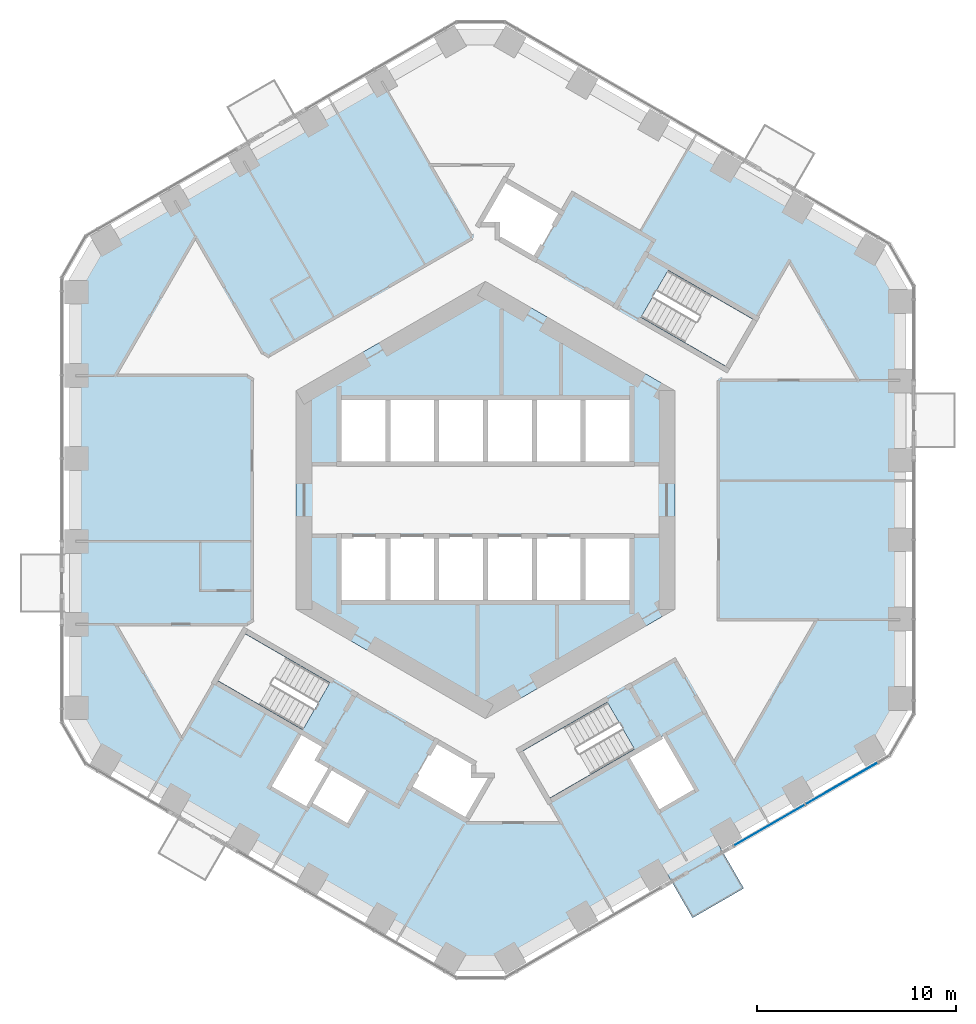
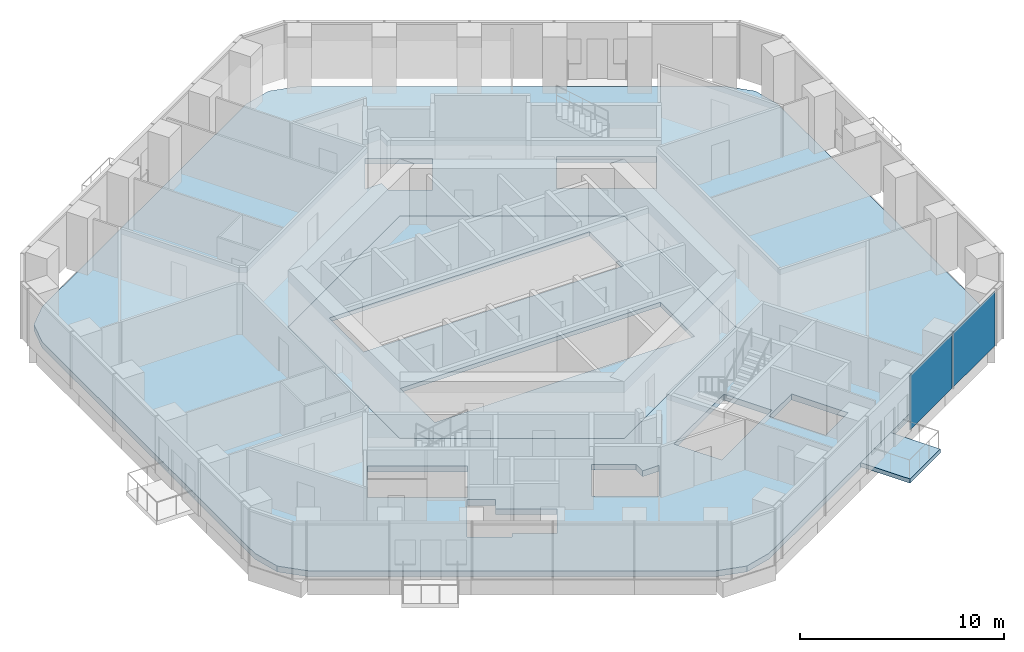
# One storey, part 9 of 19: 3 slabs, 2 plates, 1 element without a shape of its own.
"""IFC4 building model written with IfcOpenShell, lengths in metres."""

from ifc_helpers import new_model, si_unit, direction, frame, origin, origin_2d, place, context, subcontext, project, spatial, polyline, rectangle, outline, extrude, material, layer, layer_set, type_object, element, aggregate, save


model = new_model("IFC4")

# Units and contexts
model_context = context("Model", 3, precision=1e-05, world=origin(), true_north=direction((0.0, 1.0)))
body_context = subcontext(model_context, "Body", "Model", "MODEL_VIEW")
ifc_project = project(units=[si_unit("LENGTHUNIT", "METRE"), si_unit("AREAUNIT", "SQUARE_METRE"), si_unit("VOLUMEUNIT", "CUBIC_METRE"), si_unit("PLANEANGLEUNIT", "RADIAN"), si_unit("MASSUNIT", "GRAM", prefix="KILO")], contexts=[model_context])

# Site, building, storey
site_placement = place(None, origin())
site = spatial("IfcSite", under=ifc_project, at=site_placement, CompositionType="ELEMENT")
building_placement = place(site_placement, origin())
building = spatial("IfcBuilding", under=site, at=building_placement, Name="Ayvan Gate Tower", CompositionType="ELEMENT")
storey_placement = place(building_placement, frame((0.0, 0.0, 39.10009765625)))
storey = spatial("IfcBuildingStorey", under=building, at=storey_placement, Name="L09", CompositionType="ELEMENT", Elevation=39.10009765625)

# Slabs
ifc_material_1 = material(Name="Concrete C40/50", Category="concrete")
ifc_layer_1 = layer(ifc_material_1, 0.25)
ifc_layer_set_1 = layer_set([ifc_layer_1], Name="Concrete C40/50")
slab_type_1 = type_object("IfcSlabType", Name="Balcony slab 250", PredefinedType="FLOOR", material=ifc_layer_set_1)
slab_1_placement = place(storey_placement, frame((0.0, 0.0, -0.25)))
element("IfcSlab", 1, at=slab_1_placement, inside=storey, type_object=slab_type_1, Name="Balcony slab BAL-L09-5", PredefinedType="FLOOR", context=body_context, shape_type="SweptSolid", body=[
    extrude(outline(polyline([(8.990966796875, -18.534912109375), (11.55615234375, -17.053955078125), (12.956298828125, -19.478759765625), (10.39111328125, -20.959716796875), (8.990966796875, -18.534912109375)])), origin(), (0.0, 0.0, 1.0), 0.25),
])
ifc_layer_2 = layer(ifc_material_1, 0.35009765625)
ifc_layer_set_2 = layer_set([ifc_layer_2], Name="Concrete C40/50")
slab_type_2 = type_object("IfcSlabType", Name="Post-tensioned flat slab 350", PredefinedType="FLOOR", material=ifc_layer_set_2)
slab_2_placement = place(storey_placement, frame((0.0, 0.0, -0.35009765625)))
element("IfcSlab", 2, at=slab_2_placement, inside=storey, type_object=slab_type_2, Name="SL-L09", PredefinedType="FLOOR", context=body_context, shape_type="SweptSolid", body=[
    extrude(outline(polyline([(-1.7373046875, -22.996826171875), (-19.047119140625, -13.003173828125), (-20.145263671875, -11.905029296875), (-20.547119140625, -10.405029296875), (-20.547119140625, 10.405029296875), (-20.145263671875, 11.905029296875), (-19.047119140625, 13.003173828125), (-1.7373046875, 22.996826171875), (-0.2373046875, 23.39892578125), (1.2626953125, 22.996826171875), (19.28466796875, 12.591796875), (20.382568359375, 11.493896484375), (20.78466796875, 9.993896484375), (20.78466796875, -9.993896484375), (20.382568359375, -11.493896484375), (19.28466796875, -12.591796875), (1.2626953125, -22.996826171875), (-0.2373046875, -23.39892578125), (-1.7373046875, -22.996826171875)]), holes=[polyline([(9.1611328125, 11.517578125), (7.80615234375, 9.170654296875), (12.049560546875, 6.720458984375), (13.404541015625, 9.0673828125), (9.1611328125, 11.517578125)]), polyline([(10.595458984375, -14.5517578125), (8.995361328125, -11.780517578125), (8.735595703125, -11.9306640625), (7.090087890625, -12.880615234375), (8.690185546875, -15.65185546875), (10.595458984375, -14.5517578125)]), polyline([(-9.5, 5.48486328125), (-9.5, -5.48486328125), (0.0, -10.9697265625), (9.5, -5.48486328125), (9.5, 5.48486328125), (0.0, 10.9697265625), (-9.5, 5.48486328125)]), polyline([(7.472412109375, -12.492431640625), (6.117431640625, -10.1455078125), (1.873779296875, -12.595458984375), (3.228759765625, -14.9423828125), (7.472412109375, -12.492431640625)]), polyline([(3.822509765625, 14.420654296875), (0.964599609375, 16.07080078125), (-0.340576171875, 13.81005859375), (0.60009765625, 13.81005859375), (0.60009765625, 13.16357421875), (2.472412109375, 12.08251953125), (3.822509765625, 14.420654296875)]), polyline([(-0.60009765625, -13.81005859375), (-0.60009765625, -13.16357421875), (-2.472412109375, -12.08251953125), (-3.822509765625, -14.420654296875), (-0.964599609375, -16.07080078125), (0.340576171875, -13.81005859375), (-0.60009765625, -13.81005859375)]), polyline([(-10.855224609375, -14.40185546875), (-8.949951171875, -15.501953125), (-8.800048828125, -15.241943359375), (-6.894775390625, -16.342041015625), (-5.8447265625, -14.5234375), (-7.77587890625, -13.408447265625), (-8.44287109375, -13.0234375), (-8.042724609375, -12.33056640625), (-9.25537109375, -11.630615234375), (-10.855224609375, -14.40185546875)]), polyline([(-12.049560546875, -6.720458984375), (-13.404541015625, -9.0673828125), (-9.1611328125, -11.517578125), (-7.80615234375, -9.170654296875), (-12.049560546875, -6.720458984375)])]), origin(), (0.0, 0.0, 1.0), 0.35009765625),
])
ifc_layer_3 = layer(ifc_material_1, 0.25)
ifc_layer_set_3 = layer_set([ifc_layer_3], Name="Concrete C40/50")
slab_type_3 = type_object("IfcSlabType", Name="SL-CORE-250", PredefinedType="FLOOR", material=ifc_layer_set_3)
slab_3_placement = place(storey_placement, frame((0.0, 0.0, -0.25)))
element("IfcSlab", 3, at=slab_3_placement, inside=storey, type_object=slab_type_3, Name="CS-L09", PredefinedType="FLOOR", context=body_context, shape_type="SweptSolid", body=[
    extrude(outline(polyline([(9.5, -5.48486328125), (0.0, -10.9697265625), (-9.5, -5.48486328125), (-9.5, 5.48486328125), (0.0, 10.9697265625), (9.5, 5.48486328125), (9.5, -5.48486328125)]), holes=[polyline([(-7.35009765625, -1.800048828125), (-7.35009765625, -5.14990234375), (7.35009765625, -5.14990234375), (7.35009765625, -1.800048828125), (-7.35009765625, -1.800048828125)]), polyline([(-7.35009765625, 5.14990234375), (-7.35009765625, 1.800048828125), (7.35009765625, 1.800048828125), (7.35009765625, 5.14990234375), (-7.35009765625, 5.14990234375)])]), origin(), (0.0, 0.0, 1.0), 0.25),
])

# Curtain wall, plates
ifc_material_2 = material(Name="Bronze anodised aluminium", Category="aluminium")
ifc_layer_4 = layer(ifc_material_2, 0.199951171875)
ifc_layer_set_4 = layer_set([ifc_layer_4], Name="Bronze anodised aluminium")
curtain_wall_type = type_object("IfcCurtainWallType", Name="Stick curtain wall CW-1", PredefinedType="NOTDEFINED", material=ifc_layer_set_4)
curtain_wall_placement = place(storey_placement, origin())
curtain_wall = element("IfcCurtainWall", 4, at=curtain_wall_placement, inside=storey, type_object=curtain_wall_type, Name="Stick curtain wall CW-1 L09", PredefinedType="NOTDEFINED")
ifc_material_3 = material(Name="Clear low-iron laminated glass", Category="glass")
ifc_layer_5 = layer(ifc_material_3, 0.028076171875)
ifc_layer_set_5 = layer_set([ifc_layer_5], Name="Clear low-iron laminated glass")
plate_type = type_object("IfcPlateType", Name="Stick curtain wall CW-1 glass panel", PredefinedType="CURTAIN_PANEL", material=ifc_layer_set_5)
plate_1_placement = place(storey_placement, frame((14.23388671875, -16.316162109375, 0.0), z_axis=(0.0, 0.0, 1.0), x_axis=(0.866025403784, 0.5, 0.0)))
plate_1 = element("IfcPlate", 5, at=plate_1_placement, type_object=plate_type, Name="CW-1 glass panel 1", PredefinedType="CURTAIN_PANEL", context=body_context, shape_type="SweptSolid", body=[
    extrude(rectangle(XDim=4.10791015625, YDim=0.028076171875, at=origin_2d()), origin(), (0.0, 0.0, 1.0), 3.280029296875),
])
plate_2_placement = place(storey_placement, frame((17.87646484375, -14.213134765625, 0.0), z_axis=(0.0, 0.0, 1.0), x_axis=(0.866025403784, 0.5, 0.0)))
plate_2 = element("IfcPlate", 6, at=plate_2_placement, type_object=plate_type, Name="CW-1 glass panel 2", PredefinedType="CURTAIN_PANEL", context=body_context, shape_type="SweptSolid", body=[
    extrude(rectangle(XDim=4.184326171875, YDim=0.028076171875, at=origin_2d()), origin(), (0.0, 0.0, 1.0), 3.280029296875),
])
aggregate(curtain_wall, [plate_1, plate_2])

save(model, "model.ifc")
